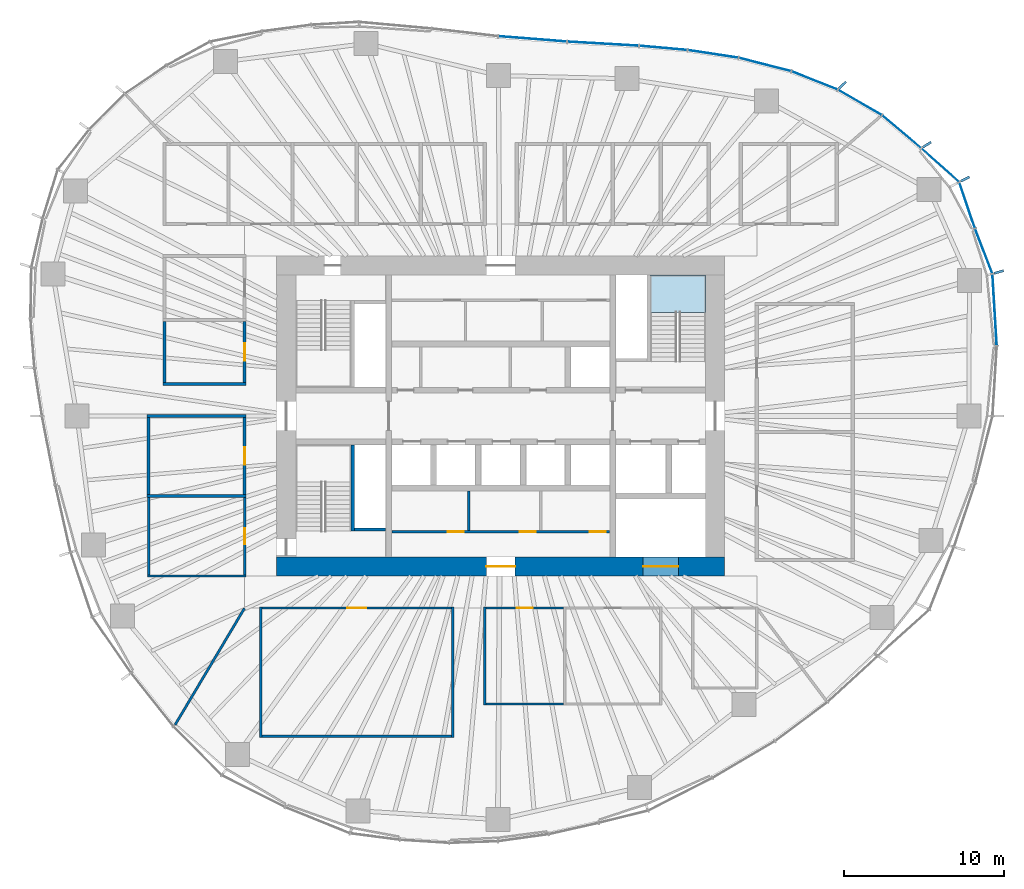
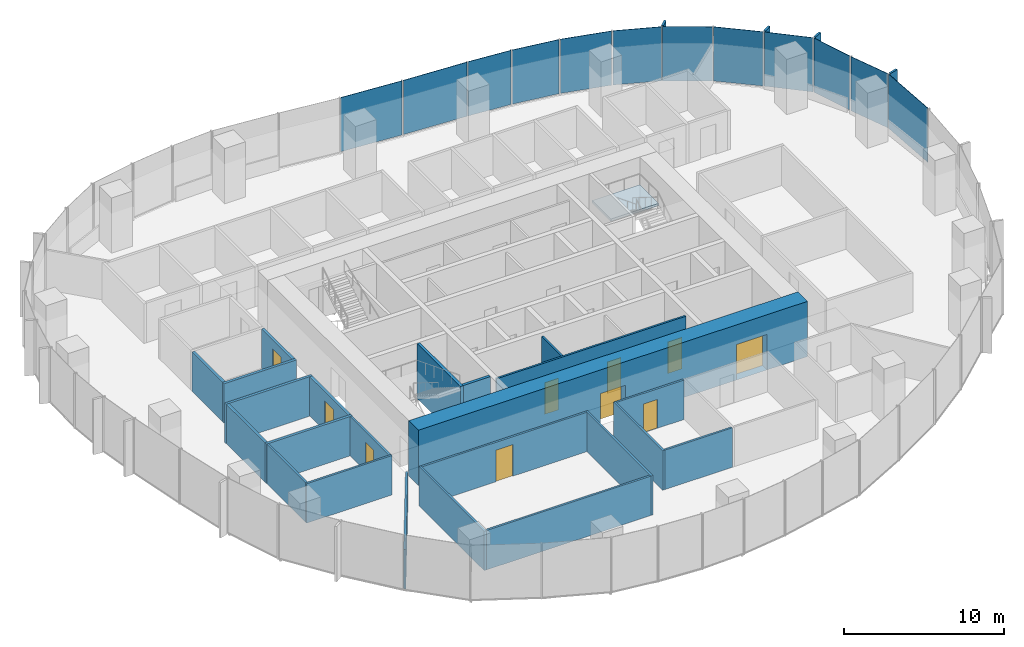
# One storey, part 8 of 18: 23 walls, 16 plates, 10 doors, 1 slab, 10 openings, 6 elements without a shape of their own.
"""IFC4 building model written with IfcOpenShell, lengths in metres."""

from ifc_helpers import new_model, si_unit, direction, frame, frame_2d, origin, origin_2d, place, context, subcontext, project, spatial, polyline, rectangle, outline, extrude, material, layer, layer_set, type_object, element, fill, aggregate, save


model = new_model("IFC4")

# Units and contexts
model_context = context("Model", 3, precision=1e-05, world=origin(), true_north=direction((0.0, 1.0)))
body_context = subcontext(model_context, "Body", "Model", "MODEL_VIEW")
ifc_project = project(units=[si_unit("LENGTHUNIT", "METRE"), si_unit("AREAUNIT", "SQUARE_METRE"), si_unit("VOLUMEUNIT", "CUBIC_METRE"), si_unit("PLANEANGLEUNIT", "RADIAN"), si_unit("MASSUNIT", "GRAM", prefix="KILO")], contexts=[model_context])

# Site, building, storey
site_placement = place(None, origin())
site = spatial("IfcSite", under=ifc_project, at=site_placement, CompositionType="ELEMENT")
building_placement = place(site_placement, origin())
building = spatial("IfcBuilding", under=site, at=building_placement, Name="Ghaith Harvest Tower", CompositionType="ELEMENT")
storey_placement = place(building_placement, frame((0.0, 0.0, 142.800048828125)))
storey = spatial("IfcBuildingStorey", under=building, at=storey_placement, Name="L30", CompositionType="ELEMENT", Elevation=142.800048828125)

# Curtain wall, plate
ifc_material_1 = material(Name="Black anodised aluminium and fritted glass", Category="aluminium")
curtain_wall_type = type_object("IfcCurtainWallType", Name="CW-L CURTAIN WALL", PredefinedType="NOTDEFINED", material=ifc_material_1)
curtain_wall_1_placement = place(storey_placement, origin())
curtain_wall_1 = element("IfcCurtainWall", 1, at=curtain_wall_1_placement, inside=storey, type_object=curtain_wall_type, Name="Curtain wall CW-L bay 01 L30", PredefinedType="NOTDEFINED")
ifc_material_2 = material(Name="Glass, dark solar-control fritted double glazed unit", Category="glass")
ifc_layer_1 = layer(ifc_material_2, 0.031982421875)
ifc_layer_set_1 = layer_set([ifc_layer_1], Name="CW-L VISION PANEL")
plate_type_1 = type_object("IfcPlateType", Name="CW-L VISION PANEL", PredefinedType="CURTAIN_PANEL", material=ifc_layer_set_1)
plate_1_placement = place(storey_placement, frame((30.863037109375, 6.63525390625, 0.079833984375), z_axis=(0.0, 0.0, 1.0), x_axis=(-0.060320650032, 0.998179051663, 0.0)))
plate_1 = element("IfcPlate", 2, at=plate_1_placement, type_object=plate_type_1, Name="CW-L glass unit 2 bay 01 L30", PredefinedType="CURTAIN_PANEL", context=body_context, shape_type="SweptSolid", body=[
    extrude(rectangle(XDim=4.419189453125, YDim=0.031982421875, at=origin_2d()), origin(), (0.0, 0.0, 1.0), 4.1201171875),
])
aggregate(curtain_wall_1, [plate_1])

# Curtain wall, plates
curtain_wall_2_placement = place(storey_placement, origin())
curtain_wall_2 = element("IfcCurtainWall", 3, at=curtain_wall_2_placement, inside=storey, type_object=curtain_wall_type, Name="Curtain wall CW-L bay 02 L30", PredefinedType="NOTDEFINED")
plate_2_placement = place(storey_placement, frame((30.180908203125, 10.29833984375, 0.079833984375), z_axis=(0.0, 0.0, 1.0), x_axis=(-0.359676824997, 0.933076943001, 0.0)))
plate_2 = element("IfcPlate", 4, at=plate_2_placement, type_object=plate_type_1, Name="CW-L glass unit 1 bay 02 L30", PredefinedType="CURTAIN_PANEL", context=body_context, shape_type="SweptSolid", body=[
    extrude(rectangle(XDim=2.95849609375, YDim=0.031982421875, at=origin_2d()), origin(), (0.0, 0.0, 1.0), 4.1201171875),
])
plate_3_placement = place(storey_placement, frame((29.142333984375, 13.163818359375, 0.079833984375), z_axis=(0.0, 0.0, 1.0), x_axis=(-0.321853304376, 0.946789549194, 0.0)))
plate_3 = element("IfcPlate", 5, at=plate_3_placement, type_object=plate_type_1, Name="CW-L glass unit 2 bay 02 L30", PredefinedType="CURTAIN_PANEL", context=body_context, shape_type="SweptSolid", body=[
    extrude(rectangle(XDim=2.978759765625, YDim=0.031982421875, at=origin_2d()), origin(), (0.0, 0.0, 1.0), 4.1201171875),
])
plate_4_placement = place(storey_placement, frame((27.46533203125, 15.668701171875, 0.079833984375), z_axis=(0.0, 0.0, 1.0), x_axis=(-0.746250544556, 0.665665174656, 0.0)))
plate_4 = element("IfcPlate", 6, at=plate_4_placement, type_object=plate_type_1, Name="CW-L glass unit 3 bay 02 L30", PredefinedType="CURTAIN_PANEL", context=body_context, shape_type="SweptSolid", body=[
    extrude(rectangle(XDim=3.094970703125, YDim=0.031982421875, at=origin_2d()), origin(), (0.0, 0.0, 1.0), 4.1201171875),
])
aggregate(curtain_wall_2, [plate_2, plate_3, plate_4])

curtain_wall_3_placement = place(storey_placement, origin())
curtain_wall_3 = element("IfcCurtainWall", 7, at=curtain_wall_3_placement, inside=storey, type_object=curtain_wall_type, Name="Curtain wall CW-L bay 03 L30", PredefinedType="NOTDEFINED")
plate_5_placement = place(storey_placement, frame((25.05126953125, 17.7587890625, 0.079833984375), z_axis=(0.0, 0.0, 1.0), x_axis=(-0.765473064857, 0.643467937801, 0.0)))
plate_5 = element("IfcPlate", 8, at=plate_5_placement, type_object=plate_type_1, Name="CW-L glass unit 1 bay 03 L30", PredefinedType="CURTAIN_PANEL", context=body_context, shape_type="SweptSolid", body=[
    extrude(rectangle(XDim=3.13232421875, YDim=0.031982421875, at=origin_2d()), origin(), (0.0, 0.0, 1.0), 4.1201171875),
])
plate_6_placement = place(storey_placement, frame((22.444091796875, 19.590576171875, 0.079833984375), z_axis=(0.0, 0.0, 1.0), x_axis=(-0.865232087993, 0.501371552751, 0.0)))
plate_6 = element("IfcPlate", 9, at=plate_6_placement, type_object=plate_type_1, Name="CW-L glass unit 2 bay 03 L30", PredefinedType="CURTAIN_PANEL", context=body_context, shape_type="SweptSolid", body=[
    extrude(rectangle(XDim=3.10498046875, YDim=0.031982421875, at=origin_2d()), origin(), (0.0, 0.0, 1.0), 4.1201171875),
])
plate_7_placement = place(storey_placement, frame((19.6142578125, 20.963623046875, 0.079833984375), z_axis=(0.0, 0.0, 1.0), x_axis=(-0.929876534019, 0.367871759558, 0.0)))
plate_7 = element("IfcPlate", 10, at=plate_7_placement, type_object=plate_type_1, Name="CW-L glass unit 3 bay 03 L30", PredefinedType="CURTAIN_PANEL", context=body_context, shape_type="SweptSolid", body=[
    extrude(rectangle(XDim=3.042724609375, YDim=0.031982421875, at=origin_2d()), origin(), (0.0, 0.0, 1.0), 4.1201171875),
])
aggregate(curtain_wall_3, [plate_5, plate_6, plate_7])

curtain_wall_4_placement = place(storey_placement, origin())
curtain_wall_4 = element("IfcCurtainWall", 11, at=curtain_wall_4_placement, inside=storey, type_object=curtain_wall_type, Name="Curtain wall CW-L bay 04 L30", PredefinedType="NOTDEFINED")
plate_8_placement = place(storey_placement, frame((16.513427734375, 21.958740234375, 0.079833984375), z_axis=(0.0, 0.0, 1.0), x_axis=(-0.96893110987, 0.247330758955, 0.0)))
plate_8 = element("IfcPlate", 12, at=plate_8_placement, type_object=plate_type_1, Name="CW-L glass unit 1 bay 04 L30", PredefinedType="CURTAIN_PANEL", context=body_context, shape_type="SweptSolid", body=[
    extrude(rectangle(XDim=3.3232421875, YDim=0.031982421875, at=origin_2d()), origin(), (0.0, 0.0, 1.0), 4.1201171875),
])
plate_9_placement = place(storey_placement, frame((13.2685546875, 22.621826171875, 0.079833984375), z_axis=(0.0, 0.0, 1.0), x_axis=(-0.988678736369, 0.150047846542, 0.0)))
plate_9 = element("IfcPlate", 13, at=plate_9_placement, type_object=plate_type_1, Name="CW-L glass unit 2 bay 04 L30", PredefinedType="CURTAIN_PANEL", context=body_context, shape_type="SweptSolid", body=[
    extrude(rectangle(XDim=3.14892578125, YDim=0.031982421875, at=origin_2d()), origin(), (0.0, 0.0, 1.0), 4.1201171875),
])
plate_10_placement = place(storey_placement, frame((10.15966796875, 22.9970703125, 0.079833984375), z_axis=(0.0, 0.0, 1.0), x_axis=(-0.996166190972, 0.087480969151, 0.0)))
plate_10 = element("IfcPlate", 14, at=plate_10_placement, type_object=plate_type_1, Name="CW-L glass unit 3 bay 04 L30", PredefinedType="CURTAIN_PANEL", context=body_context, shape_type="SweptSolid", body=[
    extrude(rectangle(XDim=2.957275390625, YDim=0.031982421875, at=origin_2d()), origin(), (0.0, 0.0, 1.0), 4.1201171875),
])
aggregate(curtain_wall_4, [plate_8, plate_9, plate_10])

curtain_wall_5_placement = place(storey_placement, origin())
curtain_wall_5 = element("IfcCurtainWall", 15, at=curtain_wall_5_placement, inside=storey, type_object=curtain_wall_type, Name="Curtain wall CW-L bay 05 L30", PredefinedType="NOTDEFINED")
plate_11_placement = place(storey_placement, frame((6.396728515625, 23.260498046875, 0.079833984375), z_axis=(0.0, 0.0, 1.0), x_axis=(-0.998320798751, 0.05792739233, 0.0)))
plate_11 = element("IfcPlate", 16, at=plate_11_placement, type_object=plate_type_1, Name="CW-L glass unit 1 bay 05 L30", PredefinedType="CURTAIN_PANEL", context=body_context, shape_type="SweptSolid", body=[
    extrude(rectangle(XDim=4.427734375, YDim=0.031982421875, at=origin_2d()), origin(), (0.0, 0.0, 1.0), 4.1201171875),
])
plate_12_placement = place(storey_placement, frame((1.9921875, 23.560302734375, 0.079833984375), z_axis=(0.0, 0.0, 1.0), x_axis=(-0.996925121312, 0.078360082291, 0.0)))
plate_12 = element("IfcPlate", 17, at=plate_12_placement, type_object=plate_type_1, Name="CW-L glass unit 2 bay 05 L30", PredefinedType="CURTAIN_PANEL", context=body_context, shape_type="SweptSolid", body=[
    extrude(rectangle(XDim=4.242431640625, YDim=0.031982421875, at=origin_2d()), origin(), (0.0, 0.0, 1.0), 4.1201171875),
])
aggregate(curtain_wall_5, [plate_11, plate_12])

# Stair, slab
ifc_material_3 = material(Name="Concrete C40/50, precast", Category="concrete")
stair_type = type_object("IfcStairType", Name="CORE STAIR 24R", PredefinedType="HALF_TURN_STAIR", material=ifc_material_3)
stair_placement = place(storey_placement, origin())
stair = element("IfcStair", 18, at=stair_placement, inside=storey, type_object=stair_type, Name="Stair ST2 L30", PredefinedType="HALF_TURN_STAIR")
ifc_material_4 = material(Name="Concrete C40/50, precast", Category="concrete")
ifc_layer_2 = layer(ifc_material_4, 0.179931640625)
ifc_layer_set_2 = layer_set([ifc_layer_2], Name="STAIR LANDING 180")
slab_type = type_object("IfcSlabType", Name="STAIR LANDING 180", PredefinedType="LANDING", material=ifc_layer_set_2)
slab_placement = place(storey_placement, frame((0.0, 0.0, 1.919921875)))
slab = element("IfcSlab", 19, at=slab_placement, type_object=slab_type, Name="ST2 landing 1", PredefinedType="LANDING", context=body_context, shape_type="SweptSolid", body=[
    extrude(outline(polyline([(12.800048828125, 6.4599609375), (12.800048828125, 8.800048828125), (9.35009765625, 8.800048828125), (9.35009765625, 6.4599609375), (12.800048828125, 6.4599609375)])), origin(), (0.0, 0.0, 1.0), 0.179931640625),
])
aggregate(stair, [slab])

# Plates
ifc_material_5 = material(Name="Glassfibre-reinforced concrete", Category="concrete")
ifc_layer_3 = layer(ifc_material_5, 0.14990234375)
ifc_layer_set_3 = layer_set([ifc_layer_3], Name="SUN-BREAKER FIN 600x150")
plate_type_2 = type_object("IfcPlateType", Name="SUN-BREAKER FIN 600x150", PredefinedType="USERDEFINED", material=ifc_layer_set_3)
for number, where, z_axis, x_axis, name in (
    (20, (31.130859375, 8.99755859375, 0.0), (0.0, 0.0, 1.0), (0.960680349985, 0.277656739792, 0.0), "Sun-breaker fin CW-L 1 bay 02 L30"),
    (21, (29.024169921875, 14.802734375, 0.0), (0.0, 0.0, 1.0), (0.890830752257, 0.454335306611, 0.0), "Sun-breaker fin CW-L 3 bay 02 L30"),
    (22, (26.635009765625, 16.95068359375, 0.0), (0.0, 0.0, 1.0), (0.843643971464, 0.536903016766, 0.0), "Sun-breaker fin CW-L 1 bay 03 L30"),
    (23, (21.367919921875, 20.68115234375, 0.0), (0.0, 0.0, 1.0), (0.7185589652, 0.69546604053, 0.0), "Sun-breaker fin CW-L 3 bay 03 L30"),
):
    element("IfcPlate", number, at=place(storey_placement, frame(where, z_axis=z_axis, x_axis=x_axis)), inside=storey, type_object=plate_type_2, Name=name, ObjectType="SUN-BREAKER FIN", PredefinedType="USERDEFINED", context=body_context, shape_type="SweptSolid", body=[
        extrude(rectangle(XDim=0.60009765625, YDim=0.14990234375, at=origin_2d()), origin(), (0.0, 0.0, 1.0), 4.199951171875),
    ])

# Walls
ifc_material_6 = material(Name="Twin-stud gypsum board, acoustic", Category="gypsum")
ifc_layer_4 = layer(ifc_material_6, 0.199951171875)
ifc_layer_set_4 = layer_set([ifc_layer_4], Name="ACOUSTIC PARTITION 200")
wall_type_1 = type_object("IfcWallType", Name="ACOUSTIC PARTITION 200", PredefinedType="PARTITIONING", material=ifc_layer_set_4)
for number, where, z_axis, x_axis, name in (
    (24, (-15.89990234375, -5.0, 0.0), (0.0, 0.0, 1.0), (-1.0, 0.0, 0.0), "Partition L30 row W6 cross wall 2"),
    (25, (-15.89990234375, 0.0, 0.0), (0.0, 0.0, 1.0), (-1.0, 0.0, 0.0), "Partition L30 row W6 cross wall 3"),
):
    element("IfcWall", number, at=place(storey_placement, frame(where, z_axis=z_axis, x_axis=x_axis)), inside=storey, type_object=wall_type_1, Name=name, PredefinedType="PARTITIONING", context=body_context, shape_type="SweptSolid", body=[
        extrude(rectangle(XDim=6.2001953125, YDim=0.199951171875, at=frame_2d((3.10009765625, 0.0))), origin(), (0.0, 0.0, 1.0), 3.0),
    ])

# Wall, opening, door
wall_1_placement = place(storey_placement, frame((-16.0, -4.89990234375, 0.0), z_axis=(0.0, 0.0, 1.0), x_axis=(0.0, 1.0, 0.0)))
wall_1 = element("IfcWall", 26, at=wall_1_placement, inside=storey, type_object=wall_type_1, Name="Partition L30-16", PredefinedType="PARTITIONING", context=body_context, shape_type="SweptSolid", body=[
    extrude(rectangle(XDim=4.7998046875, YDim=0.199951171875, at=frame_2d((2.39990234375, 0.0))), origin(), (0.0, 0.0, 1.0), 3.0),
])
opening_1_placement = place(wall_1_placement, frame((1.85009765625, 0.0, 0.0)))
opening_1 = element("IfcOpeningElement", 27, at=opening_1_placement, cuts=wall_1, Name="Opening 30-041", PredefinedType="OPENING", context=body_context, shape_type="SweptSolid", body=[
    extrude(rectangle(XDim=1.10009765625, YDim=2.300048828125, at=frame_2d((0.550048828125, 1.14990234375))), frame((0.0, 0.10986328125, 0.0), z_axis=(0.0, -1.0, 0.0), x_axis=(1.0, 0.0, 0.0)), (0.0, 0.0, 1.0), 0.219970703125),
])
ifc_material_7 = material(Name="Timber-framed glazed door", Category="wood")
door_type_1 = type_object("IfcDoorType", Name="D12 GLAZED OFFICE 1100x2300", OperationType="SINGLE_SWING_LEFT", PredefinedType="DOOR", material=ifc_material_7)
door_1_placement = place(opening_1_placement, origin())
door_1 = element("IfcDoor", 28, at=door_1_placement, inside=storey, type_object=door_type_1, Name="Quiet room door", OperationType="SINGLE_SWING_LEFT", OverallHeight=2.300048828125, OverallWidth=1.10009765625, PredefinedType="DOOR", context=body_context, shape_type="SweptSolid", body=[
    extrude(rectangle(XDim=1.10009765625, YDim=2.300048828125, at=frame_2d((0.550048828125, 1.14990234375))), frame((0.0, 0.02490234375, 0.0), z_axis=(0.0, -1.0, 0.0), x_axis=(1.0, 0.0, 0.0)), (0.0, 0.0, 1.0), 0.050048828125),
])
fill(opening_1, door_1)

# Walls
wall_2_placement = place(storey_placement, frame((-22.0, -4.89990234375, 0.0), z_axis=(0.0, 0.0, 1.0), x_axis=(0.0, 1.0, 0.0)))
element("IfcWall", 29, at=wall_2_placement, inside=storey, type_object=wall_type_1, Name="Partition L30-16", PredefinedType="PARTITIONING", context=body_context, shape_type="SweptSolid", body=[
    extrude(rectangle(XDim=4.7998046875, YDim=0.199951171875, at=frame_2d((2.39990234375, 0.0))), origin(), (0.0, 0.0, 1.0), 3.0),
])
wall_3_placement = place(storey_placement, frame((-15.89990234375, 2.0, 0.0), z_axis=(0.0, 0.0, 1.0), x_axis=(-1.0, 0.0, 0.0)))
element("IfcWall", 30, at=wall_3_placement, inside=storey, type_object=wall_type_1, Name="Partition L30 row W9 cross wall 1", PredefinedType="PARTITIONING", context=body_context, shape_type="SweptSolid", body=[
    extrude(rectangle(XDim=5.2001953125, YDim=0.199951171875, at=frame_2d((2.60009765625, 0.0))), origin(), (0.0, 0.0, 1.0), 3.0),
])

# Wall, opening, door
wall_4_placement = place(storey_placement, frame((-16.0, 2.10009765625, 0.0), z_axis=(0.0, 0.0, 1.0), x_axis=(0.0, 1.0, 0.0)))
wall_4 = element("IfcWall", 31, at=wall_4_placement, inside=storey, type_object=wall_type_1, Name="Partition L30-20", PredefinedType="PARTITIONING", context=body_context, shape_type="SweptSolid", body=[
    extrude(rectangle(XDim=3.7998046875, YDim=0.199951171875, at=frame_2d((1.89990234375, 0.0))), origin(), (0.0, 0.0, 1.0), 3.0),
])
opening_2_placement = place(wall_4_placement, frame((1.35009765625, 0.0, 0.0)))
opening_2 = element("IfcOpeningElement", 32, at=opening_2_placement, cuts=wall_4, Name="Opening 30-045", PredefinedType="OPENING", context=body_context, shape_type="SweptSolid", body=[
    extrude(rectangle(XDim=1.10009765625, YDim=2.300048828125, at=frame_2d((0.550048828125, 1.14990234375))), frame((0.0, 0.10986328125, 0.0), z_axis=(0.0, -1.0, 0.0), x_axis=(1.0, 0.0, 0.0)), (0.0, 0.0, 1.0), 0.219970703125),
])
door_2_placement = place(opening_2_placement, origin())
door_2 = element("IfcDoor", 33, at=door_2_placement, inside=storey, type_object=door_type_1, Name="Focus room door", OperationType="SINGLE_SWING_LEFT", OverallHeight=2.300048828125, OverallWidth=1.10009765625, PredefinedType="DOOR", context=body_context, shape_type="SweptSolid", body=[
    extrude(rectangle(XDim=1.10009765625, YDim=2.300048828125, at=frame_2d((0.550048828125, 1.14990234375))), frame((0.0, 0.02490234375, 0.0), z_axis=(0.0, -1.0, 0.0), x_axis=(1.0, 0.0, 0.0)), (0.0, 0.0, 1.0), 0.050048828125),
])
fill(opening_2, door_2)

# Wall
wall_5_placement = place(storey_placement, frame((-21.0, 2.10009765625, 0.0), z_axis=(0.0, 0.0, 1.0), x_axis=(0.0, 1.0, 0.0)))
element("IfcWall", 34, at=wall_5_placement, inside=storey, type_object=wall_type_1, Name="Partition L30-20", PredefinedType="PARTITIONING", context=body_context, shape_type="SweptSolid", body=[
    extrude(rectangle(XDim=3.7998046875, YDim=0.199951171875, at=frame_2d((1.89990234375, 0.0))), origin(), (0.0, 0.0, 1.0), 3.0),
])

# Wall, openings, doors
ifc_material_8 = material(Name="Concrete blockwork, fair-faced", Category="masonry")
ifc_layer_5 = layer(ifc_material_8, 0.139892578125)
ifc_layer_set_5 = layer_set([ifc_layer_5], Name="CORE PARTITION 140")
wall_type_2 = type_object("IfcWallType", Name="CORE PARTITION 140", PredefinedType="PARTITIONING", material=ifc_layer_set_5)
wall_6_placement = place(storey_placement, frame((-6.800048828125, -7.22998046875, 0.0), z_axis=(0.0, 0.0, 1.0), x_axis=(1.0, 0.0, 0.0)))
wall_6 = element("IfcWall", 35, at=wall_6_placement, inside=storey, type_object=wall_type_2, Name="Core partition L30", PredefinedType="PARTITIONING", context=body_context, shape_type="SweptSolid", body=[
    extrude(rectangle(XDim=13.60009765625, YDim=0.139892578125, at=frame_2d((6.800048828125, 0.0))), origin(), (0.0, 0.0, 1.0), 3.949951171875),
])
opening_3_placement = place(wall_6_placement, frame((3.47998046875, 0.0, 0.0)))
opening_3 = element("IfcOpeningElement", 36, at=opening_3_placement, cuts=wall_6, Name="Opening 30-011", PredefinedType="OPENING", context=body_context, shape_type="SweptSolid", body=[
    extrude(rectangle(XDim=1.0, YDim=2.39990234375, at=frame_2d((0.5, 1.199951171875))), frame((0.0, 0.080078125, 0.0), z_axis=(0.0, -1.0, 0.0), x_axis=(1.0, 0.0, 0.0)), (0.0, 0.0, 1.0), 0.159912109375),
])
opening_4_placement = place(wall_6_placement, frame((7.97998046875, 0.0, 0.0)))
opening_4 = element("IfcOpeningElement", 37, at=opening_4_placement, cuts=wall_6, Name="Opening 30-012", PredefinedType="OPENING", context=body_context, shape_type="SweptSolid", body=[
    extrude(rectangle(XDim=1.0, YDim=2.39990234375, at=frame_2d((0.5, 1.199951171875))), frame((0.0, 0.080078125, 0.0), z_axis=(0.0, -1.0, 0.0), x_axis=(1.0, 0.0, 0.0)), (0.0, 0.0, 1.0), 0.159912109375),
])
opening_5_placement = place(wall_6_placement, frame((12.35009765625, 0.0, 0.0)))
opening_5 = element("IfcOpeningElement", 38, at=opening_5_placement, cuts=wall_6, Name="Opening 30-013", PredefinedType="OPENING", context=body_context, shape_type="SweptSolid", body=[
    extrude(rectangle(XDim=1.0, YDim=2.39990234375, at=frame_2d((0.5, 1.199951171875))), frame((0.0, 0.080078125, 0.0), z_axis=(0.0, -1.0, 0.0), x_axis=(1.0, 0.0, 0.0)), (0.0, 0.0, 1.0), 0.159912109375),
])
ifc_material_9 = material(Name="Steel fire door", Category="steel")
door_type_2 = type_object("IfcDoorType", Name="D3 FD90 1000x2400", OperationType="SINGLE_SWING_LEFT", PredefinedType="DOOR", material=ifc_material_9)
door_3_placement = place(opening_3_placement, origin())
door_3 = element("IfcDoor", 39, at=door_3_placement, inside=storey, type_object=door_type_2, Name="Electrical room door", OperationType="SINGLE_SWING_LEFT", OverallHeight=2.39990234375, OverallWidth=1.0, PredefinedType="DOOR", context=body_context, shape_type="SweptSolid", body=[
    extrude(rectangle(XDim=1.0, YDim=2.39990234375, at=frame_2d((0.5, 1.199951171875))), frame((0.0, 0.02490234375, 0.0), z_axis=(0.0, -1.0, 0.0), x_axis=(1.0, 0.0, 0.0)), (0.0, 0.0, 1.0), 0.050048828125),
])
fill(opening_3, door_3)
door_4_placement = place(opening_4_placement, origin())
door_4 = element("IfcDoor", 40, at=door_4_placement, inside=storey, type_object=door_type_2, Name="Communications equipment room door", OperationType="SINGLE_SWING_RIGHT", OverallHeight=2.39990234375, OverallWidth=1.0, PredefinedType="DOOR", context=body_context, shape_type="SweptSolid", body=[
    extrude(rectangle(XDim=1.0, YDim=2.39990234375, at=frame_2d((0.5, 1.199951171875))), frame((0.0, 0.02490234375, 0.0), z_axis=(0.0, -1.0, 0.0), x_axis=(1.0, 0.0, 0.0)), (0.0, 0.0, 1.0), 0.050048828125),
])
fill(opening_4, door_4)
door_5_placement = place(opening_5_placement, origin())
door_5 = element("IfcDoor", 41, at=door_5_placement, inside=storey, type_object=door_type_2, Name="Riser room door", OperationType="SINGLE_SWING_RIGHT", OverallHeight=2.39990234375, OverallWidth=1.0, PredefinedType="DOOR", context=body_context, shape_type="SweptSolid", body=[
    extrude(rectangle(XDim=1.0, YDim=2.39990234375, at=frame_2d((0.5, 1.199951171875))), frame((0.0, 0.02490234375, 0.0), z_axis=(0.0, -1.0, 0.0), x_axis=(1.0, 0.0, 0.0)), (0.0, 0.0, 1.0), 0.050048828125),
])
fill(opening_5, door_5)

# Wall
wall_7_placement = place(storey_placement, frame((-2.0, -4.699951171875, 0.0), z_axis=(0.0, 0.0, 1.0), x_axis=(0.0, -1.0, 0.0)))
element("IfcWall", 42, at=wall_7_placement, inside=storey, type_object=wall_type_2, Name="Core partition L30", PredefinedType="PARTITIONING", context=body_context, shape_type="SweptSolid", body=[
    extrude(rectangle(XDim=2.4599609375, YDim=0.139892578125, at=frame_2d((1.22998046875, 0.0))), origin(), (0.0, 0.0, 1.0), 3.949951171875),
])

# Wall, openings, doors
ifc_material_10 = material(Name="Concrete C60/75", Category="concrete")
ifc_layer_6 = layer(ifc_material_10, 1.199951171875)
ifc_layer_set_6 = layer_set([ifc_layer_6], Name="CORE WALL CW1200 C60")
wall_type_3 = type_object("IfcWallType", Name="CORE WALL CW1200 C60", PredefinedType="SHEAR", material=ifc_layer_set_6)
wall_8_placement = place(storey_placement, frame((-14.0, -9.39990234375, 0.0), z_axis=(0.0, 0.0, 1.0), x_axis=(1.0, 0.0, 0.0)))
wall_8 = element("IfcWall", 43, at=wall_8_placement, inside=storey, type_object=wall_type_3, Name="Core wall S L30", PredefinedType="SHEAR", context=body_context, shape_type="SweptSolid", body=[
    extrude(rectangle(XDim=28.0, YDim=1.199951171875, at=frame_2d((14.0, 0.0))), origin(), (0.0, 0.0, 1.0), 4.199951171875),
])
opening_6_placement = place(wall_8_placement, frame((13.10009765625, 0.0, 0.0)))
opening_6 = element("IfcOpeningElement", 44, at=opening_6_placement, cuts=wall_8, Name="Opening 30-018", PredefinedType="OPENING", context=body_context, shape_type="SweptSolid", body=[
    extrude(rectangle(XDim=1.800048828125, YDim=2.39990234375, at=frame_2d((0.89990234375, 1.199951171875))), frame((0.0, 0.60986328125, 0.0), z_axis=(0.0, -1.0, 0.0), x_axis=(1.0, 0.0, 0.0)), (0.0, 0.0, 1.0), 1.219970703125),
])
opening_7_placement = place(wall_8_placement, frame((22.89990234375, 0.0, 0.0)))
opening_7 = element("IfcOpeningElement", 45, at=opening_7_placement, cuts=wall_8, Name="Opening 30-025", PredefinedType="OPENING", context=body_context, shape_type="SweptSolid", body=[
    extrude(rectangle(XDim=2.199951171875, YDim=2.699951171875, at=frame_2d((1.10009765625, 1.35009765625))), frame((0.0, 0.60986328125, 0.0), z_axis=(0.0, -1.0, 0.0), x_axis=(1.0, 0.0, 0.0)), (0.0, 0.0, 1.0), 1.219970703125),
])
ifc_material_11 = material(Name="Steel fire door", Category="steel")
door_type_3 = type_object("IfcDoorType", Name="D4 FD90 PAIR 1800x2400", OperationType="DOUBLE_DOOR_SINGLE_SWING", PredefinedType="DOOR", material=ifc_material_11)
door_6_placement = place(opening_6_placement, origin())
door_6 = element("IfcDoor", 46, at=door_6_placement, inside=storey, type_object=door_type_3, Name="Core service corridor doors", OperationType="DOUBLE_DOOR_SINGLE_SWING", OverallHeight=2.39990234375, OverallWidth=1.800048828125, PredefinedType="DOOR", context=body_context, shape_type="SweptSolid", body=[
    extrude(rectangle(XDim=1.800048828125, YDim=2.39990234375, at=frame_2d((0.89990234375, 1.199951171875))), frame((0.0, 0.02490234375, 0.0), z_axis=(0.0, -1.0, 0.0), x_axis=(1.0, 0.0, 0.0)), (0.0, 0.0, 1.0), 0.050048828125),
])
fill(opening_6, door_6)
ifc_material_12 = material(Name="Steel fire door", Category="steel")
door_type_4 = type_object("IfcDoorType", Name="LD3 LANDING 2200x2700", OperationType="DOUBLE_DOOR_SLIDING", PredefinedType="DOOR", material=ifc_material_12)
door_7_placement = place(opening_7_placement, origin())
door_7 = element("IfcDoor", 47, at=door_7_placement, inside=storey, type_object=door_type_4, Name="Landing door, goods lift GL1", OperationType="DOUBLE_DOOR_SLIDING", OverallHeight=2.699951171875, OverallWidth=2.199951171875, PredefinedType="DOOR", context=body_context, shape_type="SweptSolid", body=[
    extrude(rectangle(XDim=2.199951171875, YDim=2.699951171875, at=frame_2d((1.10009765625, 1.35009765625))), frame((0.0, 0.02490234375, 0.0), z_axis=(0.0, -1.0, 0.0), x_axis=(1.0, 0.0, 0.0)), (0.0, 0.0, 1.0), 0.050048828125),
])
fill(opening_7, door_7)

# Walls
ifc_material_13 = material(Name="Gypsum board on steel studs", Category="steel")
ifc_layer_7 = layer(ifc_material_13, 0.14990234375)
ifc_layer_set_7 = layer_set([ifc_layer_7], Name="PARTITION 150")
wall_type_4 = type_object("IfcWallType", Name="PARTITION 150", PredefinedType="PARTITIONING", material=ifc_layer_set_7)
for number, where, z_axis, x_axis, name in (
    (48, (-15.0, -11.925048828125, 0.0), (0.0, 0.0, 1.0), (0.0, -1.0, 0.0), "Partition L30 row S1 cross wall 1"),
    (49, (-3.0, -11.925048828125, 0.0), (0.0, 0.0, 1.0), (0.0, -1.0, 0.0), "Partition L30 row S1 cross wall 2"),
):
    element("IfcWall", number, at=place(storey_placement, frame(where, z_axis=z_axis, x_axis=x_axis)), inside=storey, type_object=wall_type_4, Name=name, PredefinedType="PARTITIONING", context=body_context, shape_type="SweptSolid", body=[
        extrude(rectangle(XDim=8.14990234375, YDim=0.14990234375, at=frame_2d((4.074951171875, 0.0))), origin(), (0.0, 0.0, 1.0), 3.0),
    ])

# Wall, opening, door
wall_9_placement = place(storey_placement, frame((-14.925048828125, -12.0, 0.0), z_axis=(0.0, 0.0, 1.0), x_axis=(1.0, 0.0, 0.0)))
wall_9 = element("IfcWall", 50, at=wall_9_placement, inside=storey, type_object=wall_type_4, Name="Partition L30-01", PredefinedType="PARTITIONING", context=body_context, shape_type="SweptSolid", body=[
    extrude(rectangle(XDim=11.85009765625, YDim=0.14990234375, at=frame_2d((5.925048828125, 0.0))), origin(), (0.0, 0.0, 1.0), 3.0),
])
opening_8_placement = place(wall_9_placement, frame((5.324951171875, 0.0, 0.0)))
opening_8 = element("IfcOpeningElement", 51, at=opening_8_placement, cuts=wall_9, Name="Opening 30-026", PredefinedType="OPENING", context=body_context, shape_type="SweptSolid", body=[
    extrude(rectangle(XDim=1.199951171875, YDim=2.39990234375, at=frame_2d((0.60009765625, 1.199951171875))), frame((0.0, 0.0849609375, 0.0), z_axis=(0.0, -1.0, 0.0), x_axis=(1.0, 0.0, 0.0)), (0.0, 0.0, 1.0), 0.169921875),
])
ifc_material_14 = material(Name="Timber door", Category="wood")
door_type_5 = type_object("IfcDoorType", Name="D11 GLAZED 1200x2400", OperationType="SINGLE_SWING_LEFT", PredefinedType="DOOR", material=ifc_material_14)
door_8_placement = place(opening_8_placement, origin())
door_8 = element("IfcDoor", 52, at=door_8_placement, inside=storey, type_object=door_type_5, Name="Prototyping studio door", OperationType="SINGLE_SWING_LEFT", OverallHeight=2.39990234375, OverallWidth=1.199951171875, PredefinedType="DOOR", context=body_context, shape_type="SweptSolid", body=[
    extrude(rectangle(XDim=1.199951171875, YDim=2.39990234375, at=frame_2d((0.60009765625, 1.199951171875))), frame((0.0, 0.02490234375, 0.0), z_axis=(0.0, -1.0, 0.0), x_axis=(1.0, 0.0, 0.0)), (0.0, 0.0, 1.0), 0.050048828125),
])
fill(opening_8, door_8)

# Walls
wall_10_placement = place(storey_placement, frame((-14.925048828125, -20.0, 0.0), z_axis=(0.0, 0.0, 1.0), x_axis=(1.0, 0.0, 0.0)))
element("IfcWall", 53, at=wall_10_placement, inside=storey, type_object=wall_type_4, Name="Partition L30-01", PredefinedType="PARTITIONING", context=body_context, shape_type="SweptSolid", body=[
    extrude(rectangle(XDim=11.85009765625, YDim=0.14990234375, at=frame_2d((5.925048828125, 0.0))), origin(), (0.0, 0.0, 1.0), 3.0),
])
wall_11_placement = place(storey_placement, frame((-1.0, -11.925048828125, 0.0), z_axis=(0.0, 0.0, 1.0), x_axis=(0.0, -1.0, 0.0)))
element("IfcWall", 54, at=wall_11_placement, inside=storey, type_object=wall_type_4, Name="Partition L30 row S2 cross wall 1", PredefinedType="PARTITIONING", context=body_context, shape_type="SweptSolid", body=[
    extrude(rectangle(XDim=6.14990234375, YDim=0.14990234375, at=frame_2d((3.074951171875, 0.0))), origin(), (0.0, 0.0, 1.0), 3.0),
])

# Wall, opening, door
wall_12_placement = place(storey_placement, frame((-0.925048828125, -12.0, 0.0), z_axis=(0.0, 0.0, 1.0), x_axis=(1.0, 0.0, 0.0)))
wall_12 = element("IfcWall", 55, at=wall_12_placement, inside=storey, type_object=wall_type_4, Name="Partition L30-02", PredefinedType="PARTITIONING", context=body_context, shape_type="SweptSolid", body=[
    extrude(rectangle(XDim=4.85009765625, YDim=0.14990234375, at=frame_2d((2.425048828125, 0.0))), origin(), (0.0, 0.0, 1.0), 3.0),
])
opening_9_placement = place(wall_12_placement, frame((1.925048828125, 0.0, 0.0)))
opening_9 = element("IfcOpeningElement", 56, at=opening_9_placement, cuts=wall_12, Name="Opening 30-027", PredefinedType="OPENING", context=body_context, shape_type="SweptSolid", body=[
    extrude(rectangle(XDim=1.0, YDim=2.199951171875, at=frame_2d((0.5, 1.10009765625))), frame((0.0, 0.0849609375, 0.0), z_axis=(0.0, -1.0, 0.0), x_axis=(1.0, 0.0, 0.0)), (0.0, 0.0, 1.0), 0.169921875),
])
ifc_material_15 = material(Name="Timber door", Category="wood")
door_type_6 = type_object("IfcDoorType", Name="D1 SINGLE 1000x2200", OperationType="SINGLE_SWING_LEFT", PredefinedType="DOOR", material=ifc_material_15)
door_9_placement = place(opening_9_placement, origin())
door_9 = element("IfcDoor", 57, at=door_9_placement, inside=storey, type_object=door_type_6, Name="Store door", OperationType="SINGLE_SWING_LEFT", OverallHeight=2.199951171875, OverallWidth=1.0, PredefinedType="DOOR", context=body_context, shape_type="SweptSolid", body=[
    extrude(rectangle(XDim=1.0, YDim=2.199951171875, at=frame_2d((0.5, 1.10009765625))), frame((0.0, 0.02490234375, 0.0), z_axis=(0.0, -1.0, 0.0), x_axis=(1.0, 0.0, 0.0)), (0.0, 0.0, 1.0), 0.050048828125),
])
fill(opening_9, door_9)

# Walls
wall_13_placement = place(storey_placement, frame((-0.925048828125, -18.0, 0.0), z_axis=(0.0, 0.0, 1.0), x_axis=(1.0, 0.0, 0.0)))
element("IfcWall", 58, at=wall_13_placement, inside=storey, type_object=wall_type_4, Name="Partition L30-02", PredefinedType="PARTITIONING", context=body_context, shape_type="SweptSolid", body=[
    extrude(rectangle(XDim=4.85009765625, YDim=0.14990234375, at=frame_2d((2.425048828125, 0.0))), origin(), (0.0, 0.0, 1.0), 3.0),
])
wall_14_placement = place(storey_placement, frame((-15.925048828125, -10.0, 0.0), z_axis=(0.0, 0.0, 1.0), x_axis=(-1.0, 0.0, 0.0)))
element("IfcWall", 59, at=wall_14_placement, inside=storey, type_object=wall_type_4, Name="Partition L30 row W6 cross wall 1", PredefinedType="PARTITIONING", context=body_context, shape_type="SweptSolid", body=[
    extrude(rectangle(XDim=6.14990234375, YDim=0.14990234375, at=frame_2d((3.074951171875, 0.0))), origin(), (0.0, 0.0, 1.0), 3.0),
])

# Wall, opening, door
wall_15_placement = place(storey_placement, frame((-16.0, -9.925048828125, 0.0), z_axis=(0.0, 0.0, 1.0), x_axis=(0.0, 1.0, 0.0)))
wall_15 = element("IfcWall", 60, at=wall_15_placement, inside=storey, type_object=wall_type_4, Name="Partition L30-15", PredefinedType="PARTITIONING", context=body_context, shape_type="SweptSolid", body=[
    extrude(rectangle(XDim=4.824951171875, YDim=0.14990234375, at=frame_2d((2.41259765625, 0.0))), origin(), (0.0, 0.0, 1.0), 3.0),
])
opening_10_placement = place(wall_15_placement, frame((1.91259765625, 0.0, 0.0)))
opening_10 = element("IfcOpeningElement", 61, at=opening_10_placement, cuts=wall_15, Name="Opening 30-040", PredefinedType="OPENING", context=body_context, shape_type="SweptSolid", body=[
    extrude(rectangle(XDim=1.0, YDim=2.199951171875, at=frame_2d((0.5, 1.10009765625))), frame((0.0, 0.0849609375, 0.0), z_axis=(0.0, -1.0, 0.0), x_axis=(1.0, 0.0, 0.0)), (0.0, 0.0, 1.0), 0.169921875),
])
door_10_placement = place(opening_10_placement, origin())
door_10 = element("IfcDoor", 62, at=door_10_placement, inside=storey, type_object=door_type_6, Name="Print room door", OperationType="SINGLE_SWING_LEFT", OverallHeight=2.199951171875, OverallWidth=1.0, PredefinedType="DOOR", context=body_context, shape_type="SweptSolid", body=[
    extrude(rectangle(XDim=1.0, YDim=2.199951171875, at=frame_2d((0.5, 1.10009765625))), frame((0.0, 0.02490234375, 0.0), z_axis=(0.0, -1.0, 0.0), x_axis=(1.0, 0.0, 0.0)), (0.0, 0.0, 1.0), 0.050048828125),
])
fill(opening_10, door_10)

# Walls
wall_16_placement = place(storey_placement, frame((-22.0, -9.925048828125, 0.0), z_axis=(0.0, 0.0, 1.0), x_axis=(0.0, 1.0, 0.0)))
element("IfcWall", 63, at=wall_16_placement, inside=storey, type_object=wall_type_4, Name="Partition L30-15", PredefinedType="PARTITIONING", context=body_context, shape_type="SweptSolid", body=[
    extrude(rectangle(XDim=4.824951171875, YDim=0.14990234375, at=frame_2d((2.41259765625, 0.0))), origin(), (0.0, 0.0, 1.0), 3.0),
])
wall_17_placement = place(storey_placement, frame((-16.01025390625, -12.01708984375, 0.0), z_axis=(0.0, 0.0, 1.0), x_axis=(-0.511508688443, -0.85927810495, 0.0)))
element("IfcWall", 64, at=wall_17_placement, inside=storey, type_object=wall_type_4, Name="Partition L30 zone division", PredefinedType="PARTITIONING", context=body_context, shape_type="SweptSolid", body=[
    extrude(rectangle(XDim=8.470458984375, YDim=0.14990234375, at=frame_2d((4.2353515625, 0.0))), origin(), (0.0, 0.0, 1.0), 3.0),
])
ifc_material_16 = material(Name="Concrete C40/50", Category="concrete")
ifc_layer_8 = layer(ifc_material_16, 0.199951171875)
ifc_layer_set_8 = layer_set([ifc_layer_8], Name="STAIR SPINE WALL RC200")
wall_type_5 = type_object("IfcWallType", Name="STAIR SPINE WALL RC200", PredefinedType="SOLIDWALL", material=ifc_layer_set_8)
wall_18_placement = place(storey_placement, frame((-9.25, -7.199951171875, 0.0), z_axis=(0.0, 0.0, 1.0), x_axis=(0.0, 1.0, 0.0)))
element("IfcWall", 65, at=wall_18_placement, inside=storey, type_object=wall_type_5, Name="Stair ST3 spine wall L30", PredefinedType="SOLIDWALL", context=body_context, shape_type="SweptSolid", body=[
    extrude(rectangle(XDim=5.39990234375, YDim=0.199951171875, at=frame_2d((2.699951171875, 0.0))), origin(), (0.0, 0.0, 1.0), 4.199951171875),
])
wall_19_placement = place(storey_placement, frame((-9.14990234375, -7.10009765625, 0.0), z_axis=(0.0, 0.0, 1.0), x_axis=(1.0, 0.0, 0.0)))
element("IfcWall", 66, at=wall_19_placement, inside=storey, type_object=wall_type_5, Name="Stair ST3 spine wall return L30", PredefinedType="SOLIDWALL", context=body_context, shape_type="SweptSolid", body=[
    extrude(rectangle(XDim=1.949951171875, YDim=0.199951171875, at=frame_2d((0.97509765625, 0.0))), origin(), (0.0, 0.0, 1.0), 4.199951171875),
])

save(model, "model.ifc")
